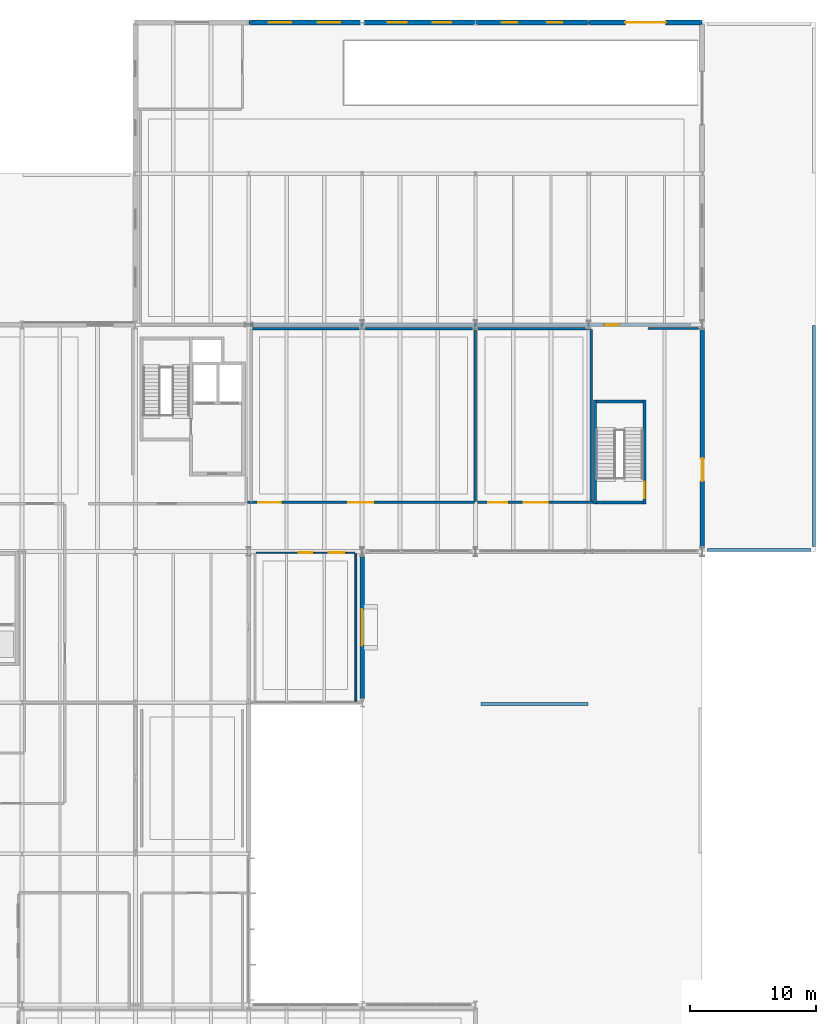
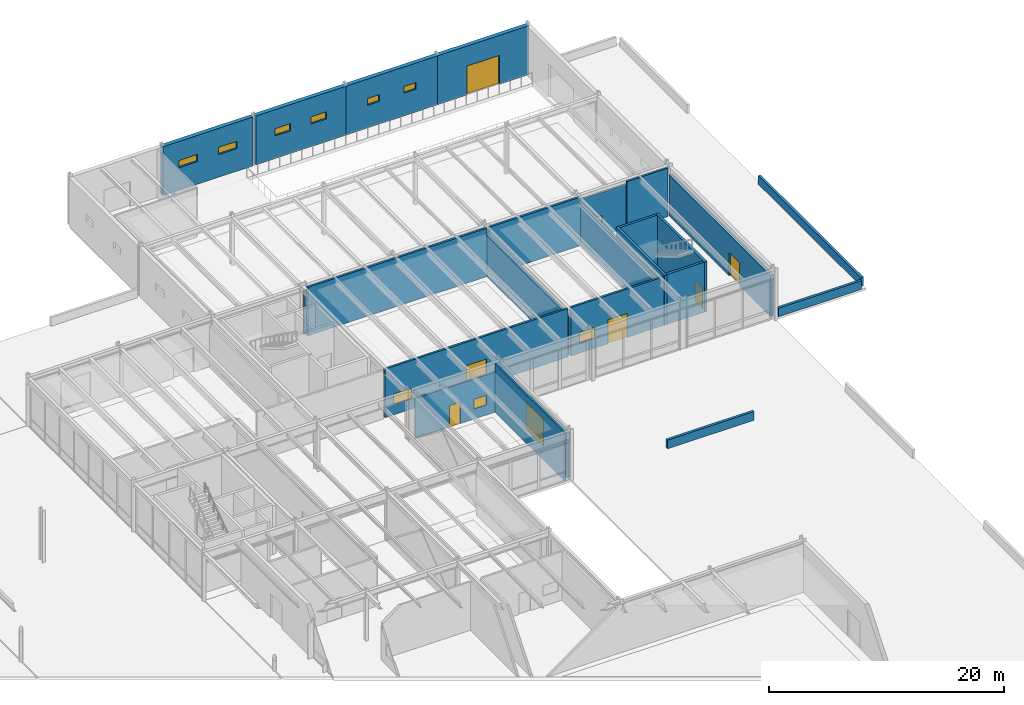
# One storey, part 129 of 143: 23 walls, 10 windows, 7 doors, 17 openings.
"""IFC4 building model written with IfcOpenShell, lengths in metres."""

from ifc_helpers import new_model, si_unit, direction, frame, frame_2d, origin, place, context, subcontext, project, spatial, rectangle, extrude, material, layer, layer_set, type_object, element, fill, save


model = new_model("IFC4")

# Units and contexts
model_context = context("Model", 3, precision=1e-05, world=origin(), true_north=direction((0.0, 1.0)))
body_context = subcontext(model_context, "Body", "Model", "MODEL_VIEW")
ifc_project = project(units=[si_unit("LENGTHUNIT", "METRE"), si_unit("AREAUNIT", "SQUARE_METRE"), si_unit("VOLUMEUNIT", "CUBIC_METRE"), si_unit("PLANEANGLEUNIT", "RADIAN"), si_unit("MASSUNIT", "GRAM", prefix="KILO")], contexts=[model_context])

# Site, building, storey
site_placement = place(None, origin())
site = spatial("IfcSite", under=ifc_project, at=site_placement, CompositionType="ELEMENT")
building_placement = place(site_placement, origin())
building = spatial("IfcBuilding", under=site, at=building_placement, Name="Montelvaro Courts of Justice", CompositionType="ELEMENT")
storey_placement = place(building_placement, origin())
storey = spatial("IfcBuildingStorey", under=building, at=storey_placement, Name="L00", CompositionType="ELEMENT", Elevation=0.0)

# Wall, openings, door, window
ifc_material_1 = material(Name="Gypsum board on metal stud")
ifc_layer_1 = layer(ifc_material_1, 0.14990234375)
ifc_layer_set_1 = layer_set([ifc_layer_1], Name="Gypsum board on metal stud")
wall_type_1 = type_object("IfcWallType", Name="ChambersPartition_150", PredefinedType="PARTITIONING", material=ifc_layer_set_1)
wall_1_placement = place(storey_placement, frame((126.580078125, 77.89990234375, 0.0), z_axis=(0.0, 0.0, 1.0), x_axis=(1.0, 0.0, 0.0)))
wall_1 = element("IfcWall", 1, at=wall_1_placement, inside=storey, type_object=wall_type_1, Name="Interior Partition IW-04 (L00)", PredefinedType="PARTITIONING", context=body_context, shape_type="SweptSolid", body=[
    extrude(rectangle(XDim=7.83984375, YDim=0.14990234375, at=frame_2d((3.919921875, 0.0))), origin(), (0.0, 0.0, 1.0), 4.18505859375),
])
opening_1_placement = place(wall_1_placement, frame((3.39501953125, 0.0, 0.0)))
opening_1 = element("IfcOpeningElement", 2, at=opening_1_placement, cuts=wall_1, Name="Opening D-L00-037", PredefinedType="OPENING", context=body_context, shape_type="SweptSolid", body=[
    extrude(rectangle(XDim=1.050048828125, YDim=2.25, at=frame_2d((0.52490234375, 1.125))), frame((0.0, 0.08984375, 0.0), z_axis=(0.0, -1.0, 0.0), x_axis=(1.0, 0.0, 0.0)), (0.0, 0.0, 1.0), 0.1796875),
])
opening_2_placement = place(wall_1_placement, frame((5.7900390625, 0.0, 1.050048828125)))
opening_2 = element("IfcOpeningElement", 3, at=opening_2_placement, cuts=wall_1, Name="Opening WI-03", PredefinedType="OPENING", context=body_context, shape_type="SweptSolid", body=[
    extrude(rectangle(XDim=1.199951171875, YDim=1.0, at=frame_2d((0.60009765625, 0.5))), frame((0.0, 0.08984375, 0.0), z_axis=(0.0, -1.0, 0.0), x_axis=(1.0, 0.0, 0.0)), (0.0, 0.0, 1.0), 0.1796875),
])
ifc_material_2 = material(Name="Acoustic oak timber veneer", Category="wood")
door_type_1 = type_object("IfcDoorType", Name="ChamberDoor_105x225", OperationType="NOTDEFINED", PredefinedType="DOOR", material=ifc_material_2)
door_1_placement = place(opening_1_placement, frame((1.050048828125, 0.0, 0.0), z_axis=(0.0, 0.0, 1.0), x_axis=(-1.0, 0.0, 0.0)))
door_1 = element("IfcDoor", 4, at=door_1_placement, inside=storey, type_object=door_type_1, Name="Interior Door D-L00-037 (Advocates' Consultation Lounge L00)", OperationType="SINGLE_SWING_RIGHT", OverallHeight=2.25, OverallWidth=1.050048828125, PredefinedType="DOOR", context=body_context, shape_type="SweptSolid", body=[
    extrude(rectangle(XDim=1.050048828125, YDim=2.25, at=frame_2d((0.52490234375, 1.125))), frame((0.0, 0.02490234375, 0.0), z_axis=(0.0, -1.0, 0.0), x_axis=(1.0, 0.0, 0.0)), (0.0, 0.0, 1.0), 0.050048828125),
])
fill(opening_1, door_1)
ifc_material_3 = material(Name="Acoustic laminated double glazing", Category="glass")
window_type_1 = type_object("IfcWindowType", Name="IntVision_120x100", PartitioningType="SINGLE_PANEL", PredefinedType="WINDOW", material=ifc_material_3)
window_1_placement = place(opening_2_placement, origin())
window_1 = element("IfcWindow", 5, at=window_1_placement, inside=storey, type_object=window_type_1, Name="Interior Vision Panel WI-019", OverallHeight=1.0, OverallWidth=1.199951171875, PartitioningType="SINGLE_PANEL", PredefinedType="WINDOW", context=body_context, shape_type="SweptSolid", body=[
    extrude(rectangle(XDim=1.199951171875, YDim=1.0, at=frame_2d((0.60009765625, 0.5))), frame((0.0, 0.030029296875, 0.0), z_axis=(0.0, -1.0, 0.0), x_axis=(1.0, 0.0, 0.0)), (0.0, 0.0, 1.0), 0.06005859375),
])
fill(opening_2, window_1)

# Walls
wall_2_placement = place(storey_placement, frame((134.5, 77.820068359375, 0.0), z_axis=(0.0, 0.0, 1.0), x_axis=(0.0, -1.0, 0.0)))
element("IfcWall", 6, at=wall_2_placement, inside=storey, type_object=wall_type_1, Name="Interior Partition IW-04 (L00)", PredefinedType="PARTITIONING", context=body_context, shape_type="SweptSolid", body=[
    extrude(rectangle(XDim=11.7451171875, YDim=0.14990234375, at=frame_2d((5.87255859375, 0.0))), origin(), (0.0, 0.0, 1.0), 5.0400390625),
])
ifc_material_4 = material(Name="Fire-rated gypsum and steel stud", Category="steel")
ifc_layer_2 = layer(ifc_material_4, 0.179931640625)
ifc_layer_set_2 = layer_set([ifc_layer_2], Name="Fire-rated gypsum and steel stud")
wall_type_2 = type_object("IfcWallType", Name="CorridorFireWall_180", PredefinedType="PARTITIONING", material=ifc_layer_set_2)
wall_3_placement = place(storey_placement, frame((157.679931640625, 95.699951171875, 0.0), z_axis=(0.0, 0.0, 1.0), x_axis=(1.0, 0.0, 0.0)))
element("IfcWall", 7, at=wall_3_placement, inside=storey, type_object=wall_type_2, Name="Interior Partition IW-02 (L00)", PredefinedType="PARTITIONING", context=body_context, shape_type="SweptSolid", body=[
    extrude(rectangle(XDim=4.0400390625, YDim=0.179931640625, at=frame_2d((2.02001953125, 0.0))), origin(), (0.0, 0.0, 1.0), 5.0400390625),
])

# Wall, opening, door
wall_4_placement = place(storey_placement, frame((161.1201171875, 96.0, 0.0), z_axis=(0.0, 0.0, 1.0), x_axis=(-1.0, 0.0, 0.0)))
wall_4 = element("IfcWall", 8, at=wall_4_placement, inside=storey, type_object=wall_type_2, Name="Interior Partition IW-02 (L00)", PredefinedType="PARTITIONING", context=body_context, shape_type="SweptSolid", body=[
    extrude(rectangle(XDim=35.0400390625, YDim=0.179931640625, at=frame_2d((17.52001953125, 0.0))), origin(), (0.0, 0.0, 1.0), 4.544921875),
])
opening_3_placement = place(wall_4_placement, frame((5.73193359375, 0.0, 0.0)))
opening_3 = element("IfcOpeningElement", 9, at=opening_3_placement, cuts=wall_4, Name="Opening D-L00-055", PredefinedType="OPENING", context=body_context, shape_type="SweptSolid", body=[
    extrude(rectangle(XDim=1.14990234375, YDim=2.14990234375, at=frame_2d((0.574951171875, 1.074951171875))), frame((0.0, 0.10498046875, 0.0), z_axis=(0.0, -1.0, 0.0), x_axis=(1.0, 0.0, 0.0)), (0.0, 0.0, 1.0), 0.209716796875),
])
ifc_material_5 = material(Name="Galvanised steel S355 security door", Category="steel")
door_type_2 = type_object("IfcDoorType", Name="CustodyDoor_115x215", OperationType="NOTDEFINED", PredefinedType="DOOR", material=ifc_material_5)
door_2_placement = place(opening_3_placement, frame((1.14990234375, 0.0, 0.0), z_axis=(0.0, 0.0, 1.0), x_axis=(-1.0, 0.0, 0.0)))
door_2 = element("IfcDoor", 10, at=door_2_placement, inside=storey, type_object=door_type_2, Name="Interior Door D-L00-055 (Custody Vehicle Sallyport Hall)", OperationType="SINGLE_SWING_LEFT", OverallHeight=2.14990234375, OverallWidth=1.14990234375, PredefinedType="DOOR", context=body_context, shape_type="SweptSolid", body=[
    extrude(rectangle(XDim=1.14990234375, YDim=2.14990234375, at=frame_2d((0.574951171875, 1.074951171875))), frame((0.0, 0.02490234375, 0.0), z_axis=(0.0, -1.0, 0.0), x_axis=(1.0, 0.0, 0.0)), (0.0, 0.0, 1.0), 0.050048828125),
])
fill(opening_3, door_2)

# Walls
ifc_material_6 = material(Name="Gypsum acoustic double stud with mineral wool")
ifc_layer_3 = layer(ifc_material_6, 0.199951171875)
ifc_layer_set_3 = layer_set([ifc_layer_3], Name="Gypsum acoustic double stud with mineral wool")
wall_type_3 = type_object("IfcWallType", Name="CourtAcousticWall_200", PredefinedType="PARTITIONING", material=ifc_layer_set_3)
wall_5_placement = place(storey_placement, frame((126.280029296875, 95.699951171875, 0.0), z_axis=(0.0, 0.0, 1.0), x_axis=(1.0, 0.0, 0.0)))
element("IfcWall", 11, at=wall_5_placement, inside=storey, type_object=wall_type_3, Name="Interior Partition IW-01 (L00)", PredefinedType="PARTITIONING", context=body_context, shape_type="SweptSolid", body=[
    extrude(rectangle(XDim=17.639892578125, YDim=0.199951171875, at=frame_2d((8.81982421875, 0.0))), origin(), (0.0, 0.0, 1.0), 5.0400390625),
])
wall_6_placement = place(storey_placement, frame((144.0, 95.6201171875, 0.0), z_axis=(0.0, 0.0, 1.0), x_axis=(0.0, -1.0, 0.0)))
element("IfcWall", 12, at=wall_6_placement, inside=storey, type_object=wall_type_3, Name="Interior Partition IW-01 (L00)", PredefinedType="PARTITIONING", context=body_context, shape_type="SweptSolid", body=[
    extrude(rectangle(XDim=13.64013671875, YDim=0.199951171875, at=frame_2d((6.820068359375, 0.0))), origin(), (0.0, 0.0, 1.0), 4.405029296875),
])

# Wall, openings, door, window
wall_7_placement = place(storey_placement, frame((143.919921875, 81.89990234375, 0.0), z_axis=(0.0, 0.0, 1.0), x_axis=(-1.0, 0.0, 0.0)))
wall_7 = element("IfcWall", 13, at=wall_7_placement, inside=storey, type_object=wall_type_3, Name="Interior Partition IW-01 (L00)", PredefinedType="PARTITIONING", context=body_context, shape_type="SweptSolid", body=[
    extrude(rectangle(XDim=18.034912109375, YDim=0.199951171875, at=frame_2d((9.017578125, 0.0))), origin(), (0.0, 0.0, 1.0), 5.0400390625),
])
opening_4_placement = place(wall_7_placement, frame((8.01708984375, 0.0, 0.0)))
opening_4 = element("IfcOpeningElement", 14, at=opening_4_placement, cuts=wall_7, Name="Opening D-L00-035", PredefinedType="OPENING", context=body_context, shape_type="SweptSolid", body=[
    extrude(rectangle(XDim=2.0, YDim=2.60009765625, at=frame_2d((1.0, 1.300048828125))), frame((0.0, 0.11474609375, 0.0), z_axis=(0.0, -1.0, 0.0), x_axis=(1.0, 0.0, 0.0)), (0.0, 0.0, 1.0), 0.229736328125),
])
opening_5_placement = place(wall_7_placement, frame((15.385009765625, 0.0, 1.050048828125)))
opening_5 = element("IfcOpeningElement", 15, at=opening_5_placement, cuts=wall_7, Name="Opening WI-01", PredefinedType="OPENING", context=body_context, shape_type="SweptSolid", body=[
    extrude(rectangle(XDim=1.800048828125, YDim=1.10009765625, at=frame_2d((0.89990234375, 0.550048828125))), frame((0.0, 0.11474609375, 0.0), z_axis=(0.0, -1.0, 0.0), x_axis=(1.0, 0.0, 0.0)), (0.0, 0.0, 1.0), 0.229736328125),
])
door_type_3 = type_object("IfcDoorType", Name="CourtDoor_200x260", OperationType="DOUBLE_DOOR_SINGLE_SWING", PredefinedType="DOOR", material=ifc_material_2)
door_3_placement = place(opening_4_placement, frame((2.0, 0.0, 0.0), z_axis=(0.0, 0.0, 1.0), x_axis=(-1.0, 0.0, 0.0)))
door_3 = element("IfcDoor", 16, at=door_3_placement, inside=storey, type_object=door_type_3, Name="Interior Door D-L00-035 (Criminal Courtroom 02)", OperationType="DOUBLE_DOOR_SINGLE_SWING", OverallHeight=2.60009765625, OverallWidth=2.0, PredefinedType="DOOR", context=body_context, shape_type="SweptSolid", body=[
    extrude(rectangle(XDim=2.0, YDim=2.60009765625, at=frame_2d((1.0, 1.300048828125))), frame((0.0, 0.02490234375, 0.0), z_axis=(0.0, -1.0, 0.0), x_axis=(1.0, 0.0, 0.0)), (0.0, 0.0, 1.0), 0.050048828125),
])
fill(opening_4, door_3)
window_type_2 = type_object("IfcWindowType", Name="IntVision_180x110", PartitioningType="SINGLE_PANEL", PredefinedType="WINDOW", material=ifc_material_3)
window_2_placement = place(opening_5_placement, origin())
window_2 = element("IfcWindow", 17, at=window_2_placement, inside=storey, type_object=window_type_2, Name="Interior Vision Panel WI-017", OverallHeight=1.10009765625, OverallWidth=1.800048828125, PartitioningType="SINGLE_PANEL", PredefinedType="WINDOW", context=body_context, shape_type="SweptSolid", body=[
    extrude(rectangle(XDim=1.800048828125, YDim=1.10009765625, at=frame_2d((0.89990234375, 0.550048828125))), frame((0.0, 0.030029296875, 0.0), z_axis=(0.0, -1.0, 0.0), x_axis=(1.0, 0.0, 0.0)), (0.0, 0.0, 1.0), 0.06005859375),
])
fill(opening_5, window_2)

# Wall
wall_8_placement = place(storey_placement, frame((153.199951171875, 95.6201171875, 0.0), z_axis=(0.0, 0.0, 1.0), x_axis=(0.0, -1.0, 0.0)))
element("IfcWall", 18, at=wall_8_placement, inside=storey, type_object=wall_type_3, Name="Interior Partition IW-01 (L00)", PredefinedType="PARTITIONING", context=body_context, shape_type="SweptSolid", body=[
    extrude(rectangle(XDim=13.64013671875, YDim=0.199951171875, at=frame_2d((6.820068359375, 0.0))), origin(), (0.0, 0.0, 1.0), 4.304931640625),
])

# Wall, openings, door, window
wall_9_placement = place(storey_placement, frame((153.364990234375, 81.89990234375, 0.0), z_axis=(0.0, 0.0, 1.0), x_axis=(-1.0, 0.0, 0.0)))
wall_9 = element("IfcWall", 19, at=wall_9_placement, inside=storey, type_object=wall_type_3, Name="Interior Partition IW-01 (L00)", PredefinedType="PARTITIONING", context=body_context, shape_type="SweptSolid", body=[
    extrude(rectangle(XDim=9.18505859375, YDim=0.199951171875, at=frame_2d((4.592529296875, 0.0))), origin(), (0.0, 0.0, 1.0), 5.0400390625),
])
opening_6_placement = place(wall_9_placement, frame((3.64306640625, 0.0, 0.0)))
opening_6 = element("IfcOpeningElement", 20, at=opening_6_placement, cuts=wall_9, Name="Opening D-L00-036", PredefinedType="OPENING", context=body_context, shape_type="SweptSolid", body=[
    extrude(rectangle(XDim=1.89990234375, YDim=2.5, at=frame_2d((0.949951171875, 1.25))), frame((0.0, 0.11474609375, 0.0), z_axis=(0.0, -1.0, 0.0), x_axis=(1.0, 0.0, 0.0)), (0.0, 0.0, 1.0), 0.229736328125),
])
opening_7_placement = place(wall_9_placement, frame((6.8349609375, 0.0, 1.050048828125)))
opening_7 = element("IfcOpeningElement", 21, at=opening_7_placement, cuts=wall_9, Name="Opening WI-02", PredefinedType="OPENING", context=body_context, shape_type="SweptSolid", body=[
    extrude(rectangle(XDim=1.5, YDim=1.10009765625, at=frame_2d((0.75, 0.550048828125))), frame((0.0, 0.11474609375, 0.0), z_axis=(0.0, -1.0, 0.0), x_axis=(1.0, 0.0, 0.0)), (0.0, 0.0, 1.0), 0.229736328125),
])
door_type_4 = type_object("IfcDoorType", Name="CourtDoor_190x250", OperationType="DOUBLE_DOOR_SINGLE_SWING", PredefinedType="DOOR", material=ifc_material_2)
door_4_placement = place(opening_6_placement, origin())
door_4 = element("IfcDoor", 22, at=door_4_placement, inside=storey, type_object=door_type_4, Name="Interior Door D-L00-036 (Duty Guard Courtroom 03)", OperationType="DOUBLE_DOOR_SINGLE_SWING", OverallHeight=2.5, OverallWidth=1.89990234375, PredefinedType="DOOR", context=body_context, shape_type="SweptSolid", body=[
    extrude(rectangle(XDim=1.89990234375, YDim=2.5, at=frame_2d((0.949951171875, 1.25))), frame((0.0, 0.02490234375, 0.0), z_axis=(0.0, -1.0, 0.0), x_axis=(1.0, 0.0, 0.0)), (0.0, 0.0, 1.0), 0.050048828125),
])
fill(opening_6, door_4)
window_type_3 = type_object("IfcWindowType", Name="IntVision_150x110", PartitioningType="SINGLE_PANEL", PredefinedType="WINDOW", material=ifc_material_3)
window_3_placement = place(opening_7_placement, origin())
window_3 = element("IfcWindow", 23, at=window_3_placement, inside=storey, type_object=window_type_3, Name="Interior Vision Panel WI-018", OverallHeight=1.10009765625, OverallWidth=1.5, PartitioningType="SINGLE_PANEL", PredefinedType="WINDOW", context=body_context, shape_type="SweptSolid", body=[
    extrude(rectangle(XDim=1.5, YDim=1.10009765625, at=frame_2d((0.75, 0.550048828125))), frame((0.0, 0.030029296875, 0.0), z_axis=(0.0, -1.0, 0.0), x_axis=(1.0, 0.0, 0.0)), (0.0, 0.0, 1.0), 0.06005859375),
])
fill(opening_7, window_3)

# Wall
wall_10_placement = place(storey_placement, frame((144.179931640625, 95.699951171875, 0.0), z_axis=(0.0, 0.0, 1.0), x_axis=(1.0, 0.0, 0.0)))
element("IfcWall", 24, at=wall_10_placement, inside=storey, type_object=wall_type_3, Name="Interior Partition IW-01 (L00)", PredefinedType="PARTITIONING", context=body_context, shape_type="SweptSolid", body=[
    extrude(rectangle(XDim=8.940185546875, YDim=0.199951171875, at=frame_2d((4.47021484375, 0.0))), origin(), (0.0, 0.0, 1.0), 5.0400390625),
])

# Wall, opening, door
ifc_material_7 = material(Name="Concrete C40/50", Category="concrete")
ifc_layer_4 = layer(ifc_material_7, 0.39990234375)
ifc_layer_set_4 = layer_set([ifc_layer_4], Name="Concrete C40/50")
wall_type_4 = type_object("IfcWallType", Name="ExtWall_Custody_400", PredefinedType="SOLIDWALL", material=ifc_layer_set_4)
wall_11_placement = place(storey_placement, frame((161.991943359375, 120.0, 0.0), z_axis=(0.0, 0.0, 1.0), x_axis=(-1.0, 0.0, 0.0)))
wall_11 = element("IfcWall", 25, at=wall_11_placement, inside=storey, type_object=wall_type_4, Name="Exterior Facade Wall EW-04 (L00)", PredefinedType="SOLIDWALL", context=body_context, shape_type="SweptSolid", body=[
    extrude(rectangle(XDim=8.98388671875, YDim=0.39990234375, at=frame_2d((4.491943359375, 0.0))), origin(), (0.0, 0.0, 1.0), 5.080078125),
])
opening_8_placement = place(wall_11_placement, frame((2.89208984375, 0.0, 0.0)))
opening_8 = element("IfcOpeningElement", 26, at=opening_8_placement, cuts=wall_11, Name="Opening SG-01A", PredefinedType="OPENING", context=body_context, shape_type="SweptSolid", body=[
    extrude(rectangle(XDim=3.199951171875, YDim=3.0, at=frame_2d((1.60009765625, 1.5))), frame((0.0, 0.21484375, 0.0), z_axis=(0.0, -1.0, 0.0), x_axis=(1.0, 0.0, 0.0)), (0.0, 0.0, 1.0), 0.4296875),
])
ifc_material_8 = material(Name="Anodised aluminium and laminated safety glass", Category="aluminium")
door_type_5 = type_object("IfcDoorType", Name="SecGate_320x300", OperationType="ROLLINGUP", PredefinedType="GATE", material=ifc_material_8)
door_5_placement = place(opening_8_placement, frame((3.199951171875, 0.0, 0.0), z_axis=(0.0, 0.0, 1.0), x_axis=(-1.0, 0.0, 0.0)))
door_5 = element("IfcDoor", 27, at=door_5_placement, inside=storey, type_object=door_type_5, Name="Perimeter Security Gate SG-01A", OperationType="ROLLINGUP", OverallHeight=3.0, OverallWidth=3.199951171875, PredefinedType="GATE", context=body_context, shape_type="SweptSolid", body=[
    extrude(rectangle(XDim=3.199951171875, YDim=3.0, at=frame_2d((1.60009765625, 1.5))), frame((0.0, 0.02490234375, 0.0), z_axis=(0.0, -1.0, 0.0), x_axis=(1.0, 0.0, 0.0)), (0.0, 0.0, 1.0), 0.050048828125),
])
fill(opening_8, door_5)

# Wall, openings, windows
wall_12_placement = place(storey_placement, frame((152.991943359375, 120.0, 0.0), z_axis=(0.0, 0.0, 1.0), x_axis=(-1.0, 0.0, 0.0)))
wall_12 = element("IfcWall", 28, at=wall_12_placement, inside=storey, type_object=wall_type_4, Name="Exterior Facade Wall EW-04 (L00)", PredefinedType="SOLIDWALL", context=body_context, shape_type="SweptSolid", body=[
    extrude(rectangle(XDim=8.98388671875, YDim=0.39990234375, at=frame_2d((4.491943359375, 0.0))), origin(), (0.0, 0.0, 1.0), 5.080078125),
])
opening_9_placement = place(wall_12_placement, frame((2.094970703125, 0.0, 2.35009765625)))
opening_9 = element("IfcOpeningElement", 29, at=opening_9_placement, cuts=wall_12, Name="Opening WE-30", PredefinedType="OPENING", context=body_context, shape_type="SweptSolid", body=[
    extrude(rectangle(XDim=1.199951171875, YDim=0.699951171875, at=frame_2d((0.60009765625, 0.35009765625))), frame((0.0, 0.21484375, 0.0), z_axis=(0.0, -1.0, 0.0), x_axis=(1.0, 0.0, 0.0)), (0.0, 0.0, 1.0), 0.4296875),
])
opening_10_placement = place(wall_12_placement, frame((5.68896484375, 0.0, 2.35009765625)))
opening_10 = element("IfcOpeningElement", 30, at=opening_10_placement, cuts=wall_12, Name="Opening WE-30", PredefinedType="OPENING", context=body_context, shape_type="SweptSolid", body=[
    extrude(rectangle(XDim=1.199951171875, YDim=0.699951171875, at=frame_2d((0.60009765625, 0.35009765625))), frame((0.0, 0.21484375, 0.0), z_axis=(0.0, -1.0, 0.0), x_axis=(1.0, 0.0, 0.0)), (0.0, 0.0, 1.0), 0.4296875),
])
ifc_material_9 = material(Name="Low-E solar control double glazing", Category="glass")
window_type_4 = type_object("IfcWindowType", Name="Win_Slot_120x070", PartitioningType="SINGLE_PANEL", PredefinedType="WINDOW", material=ifc_material_9)
window_4_placement = place(opening_9_placement, origin())
window_4 = element("IfcWindow", 31, at=window_4_placement, inside=storey, type_object=window_type_4, Name="Window W-L00-030", OverallHeight=0.699951171875, OverallWidth=1.199951171875, PartitioningType="SINGLE_PANEL", PredefinedType="WINDOW", context=body_context, shape_type="SweptSolid", body=[
    extrude(rectangle(XDim=1.199951171875, YDim=0.699951171875, at=frame_2d((0.60009765625, 0.35009765625))), frame((0.0, 0.030029296875, 0.0), z_axis=(0.0, -1.0, 0.0), x_axis=(1.0, 0.0, 0.0)), (0.0, 0.0, 1.0), 0.06005859375),
])
fill(opening_9, window_4)
window_5_placement = place(opening_10_placement, origin())
window_5 = element("IfcWindow", 32, at=window_5_placement, inside=storey, type_object=window_type_4, Name="Window W-L00-031", OverallHeight=0.699951171875, OverallWidth=1.199951171875, PartitioningType="SINGLE_PANEL", PredefinedType="WINDOW", context=body_context, shape_type="SweptSolid", body=[
    extrude(rectangle(XDim=1.199951171875, YDim=0.699951171875, at=frame_2d((0.60009765625, 0.35009765625))), frame((0.0, 0.030029296875, 0.0), z_axis=(0.0, -1.0, 0.0), x_axis=(1.0, 0.0, 0.0)), (0.0, 0.0, 1.0), 0.06005859375),
])
fill(opening_10, window_5)

wall_13_placement = place(storey_placement, frame((143.991943359375, 120.0, 0.0), z_axis=(0.0, 0.0, 1.0), x_axis=(-1.0, 0.0, 0.0)))
wall_13 = element("IfcWall", 33, at=wall_13_placement, inside=storey, type_object=wall_type_4, Name="Exterior Facade Wall EW-04 (L00)", PredefinedType="SOLIDWALL", context=body_context, shape_type="SweptSolid", body=[
    extrude(rectangle(XDim=8.843994140625, YDim=0.39990234375, at=frame_2d((4.421875, 0.0))), origin(), (0.0, 0.0, 1.0), 5.080078125),
])
opening_11_placement = place(wall_13_placement, frame((1.903076171875, 0.0, 2.35009765625)))
opening_11 = element("IfcOpeningElement", 34, at=opening_11_placement, cuts=wall_13, Name="Opening WE-29", PredefinedType="OPENING", context=body_context, shape_type="SweptSolid", body=[
    extrude(rectangle(XDim=1.5, YDim=0.75, at=frame_2d((0.75, 0.375))), frame((0.0, 0.21484375, 0.0), z_axis=(0.0, -1.0, 0.0), x_axis=(1.0, 0.0, 0.0)), (0.0, 0.0, 1.0), 0.4296875),
])
opening_12_placement = place(wall_13_placement, frame((5.44091796875, 0.0, 2.35009765625)))
opening_12 = element("IfcOpeningElement", 35, at=opening_12_placement, cuts=wall_13, Name="Opening WE-29", PredefinedType="OPENING", context=body_context, shape_type="SweptSolid", body=[
    extrude(rectangle(XDim=1.5, YDim=0.75, at=frame_2d((0.75, 0.375))), frame((0.0, 0.21484375, 0.0), z_axis=(0.0, -1.0, 0.0), x_axis=(1.0, 0.0, 0.0)), (0.0, 0.0, 1.0), 0.4296875),
])
window_type_5 = type_object("IfcWindowType", Name="Win_Slot_150x075", PartitioningType="SINGLE_PANEL", PredefinedType="WINDOW", material=ifc_material_9)
window_6_placement = place(opening_11_placement, origin())
window_6 = element("IfcWindow", 36, at=window_6_placement, inside=storey, type_object=window_type_5, Name="Window W-L00-032", OverallHeight=0.75, OverallWidth=1.5, PartitioningType="SINGLE_PANEL", PredefinedType="WINDOW", context=body_context, shape_type="SweptSolid", body=[
    extrude(rectangle(XDim=1.5, YDim=0.75, at=frame_2d((0.75, 0.375))), frame((0.0, 0.030029296875, 0.0), z_axis=(0.0, -1.0, 0.0), x_axis=(1.0, 0.0, 0.0)), (0.0, 0.0, 1.0), 0.06005859375),
])
fill(opening_11, window_6)
window_7_placement = place(opening_12_placement, origin())
window_7 = element("IfcWindow", 37, at=window_7_placement, inside=storey, type_object=window_type_5, Name="Window W-L00-033", OverallHeight=0.75, OverallWidth=1.5, PartitioningType="SINGLE_PANEL", PredefinedType="WINDOW", context=body_context, shape_type="SweptSolid", body=[
    extrude(rectangle(XDim=1.5, YDim=0.75, at=frame_2d((0.75, 0.375))), frame((0.0, 0.030029296875, 0.0), z_axis=(0.0, -1.0, 0.0), x_axis=(1.0, 0.0, 0.0)), (0.0, 0.0, 1.0), 0.06005859375),
])
fill(opening_12, window_7)

wall_14_placement = place(storey_placement, frame((134.85205078125, 120.0, 0.0), z_axis=(0.0, 0.0, 1.0), x_axis=(-1.0, 0.0, 0.0)))
wall_14 = element("IfcWall", 38, at=wall_14_placement, inside=storey, type_object=wall_type_4, Name="Exterior Facade Wall EW-04 (L00)", PredefinedType="SOLIDWALL", context=body_context, shape_type="SweptSolid", body=[
    extrude(rectangle(XDim=8.843994140625, YDim=0.39990234375, at=frame_2d((4.421875, 0.0))), origin(), (0.0, 0.0, 1.0), 5.080078125),
])
opening_13_placement = place(wall_14_placement, frame((1.575927734375, 0.0, 2.35009765625)))
opening_13 = element("IfcOpeningElement", 39, at=opening_13_placement, cuts=wall_14, Name="Opening WE-28", PredefinedType="OPENING", context=body_context, shape_type="SweptSolid", body=[
    extrude(rectangle(XDim=1.800048828125, YDim=0.75, at=frame_2d((0.89990234375, 0.375))), frame((0.0, 0.21484375, 0.0), z_axis=(0.0, -1.0, 0.0), x_axis=(1.0, 0.0, 0.0)), (0.0, 0.0, 1.0), 0.4296875),
])
opening_14_placement = place(wall_14_placement, frame((5.468017578125, 0.0, 2.35009765625)))
opening_14 = element("IfcOpeningElement", 40, at=opening_14_placement, cuts=wall_14, Name="Opening WE-28", PredefinedType="OPENING", context=body_context, shape_type="SweptSolid", body=[
    extrude(rectangle(XDim=1.800048828125, YDim=0.75, at=frame_2d((0.89990234375, 0.375))), frame((0.0, 0.21484375, 0.0), z_axis=(0.0, -1.0, 0.0), x_axis=(1.0, 0.0, 0.0)), (0.0, 0.0, 1.0), 0.4296875),
])
window_type_6 = type_object("IfcWindowType", Name="Win_Slot_180x075", PartitioningType="SINGLE_PANEL", PredefinedType="WINDOW", material=ifc_material_9)
window_8_placement = place(opening_13_placement, origin())
window_8 = element("IfcWindow", 41, at=window_8_placement, inside=storey, type_object=window_type_6, Name="Window W-L00-034", OverallHeight=0.75, OverallWidth=1.800048828125, PartitioningType="SINGLE_PANEL", PredefinedType="WINDOW", context=body_context, shape_type="SweptSolid", body=[
    extrude(rectangle(XDim=1.800048828125, YDim=0.75, at=frame_2d((0.89990234375, 0.375))), frame((0.0, 0.030029296875, 0.0), z_axis=(0.0, -1.0, 0.0), x_axis=(1.0, 0.0, 0.0)), (0.0, 0.0, 1.0), 0.06005859375),
])
fill(opening_13, window_8)
window_9_placement = place(opening_14_placement, origin())
window_9 = element("IfcWindow", 42, at=window_9_placement, inside=storey, type_object=window_type_6, Name="Window W-L00-035", OverallHeight=0.75, OverallWidth=1.800048828125, PartitioningType="SINGLE_PANEL", PredefinedType="WINDOW", context=body_context, shape_type="SweptSolid", body=[
    extrude(rectangle(XDim=1.800048828125, YDim=0.75, at=frame_2d((0.89990234375, 0.375))), frame((0.0, 0.030029296875, 0.0), z_axis=(0.0, -1.0, 0.0), x_axis=(1.0, 0.0, 0.0)), (0.0, 0.0, 1.0), 0.06005859375),
])
fill(opening_14, window_9)

# Wall, opening, window
ifc_material_10 = material(Name="Precast concrete C45/55", Category="concrete")
ifc_layer_5 = layer(ifc_material_10, 0.35009765625)
ifc_layer_set_5 = layer_set([ifc_layer_5], Name="Precast concrete C45/55")
wall_type_5 = type_object("IfcWallType", Name="ExtWall_Limestone_350", PredefinedType="SOLIDWALL", material=ifc_layer_set_5)
wall_15_placement = place(storey_placement, frame((135.0, 66.30810546875, 0.0), z_axis=(0.0, 0.0, 1.0), x_axis=(0.0, 1.0, 0.0)))
wall_15 = element("IfcWall", 43, at=wall_15_placement, inside=storey, type_object=wall_type_5, Name="Exterior Facade Wall EW-03 (L00)", PredefinedType="SOLIDWALL", context=body_context, shape_type="SweptSolid", body=[
    extrude(rectangle(XDim=11.3359375, YDim=0.35009765625, at=frame_2d((5.66796875, 0.0))), origin(), (0.0, 0.0, 1.0), 4.544921875),
])
opening_15_placement = place(wall_15_placement, frame((4.218017578125, 0.0, 0.64990234375)))
opening_15 = element("IfcOpeningElement", 44, at=opening_15_placement, cuts=wall_15, Name="Opening WE-02", PredefinedType="OPENING", context=body_context, shape_type="SweptSolid", body=[
    extrude(rectangle(XDim=2.89990234375, YDim=2.89990234375, at=frame_2d((1.449951171875, 1.449951171875))), frame((0.0, 0.18994140625, 0.0), z_axis=(0.0, -1.0, 0.0), x_axis=(1.0, 0.0, 0.0)), (0.0, 0.0, 1.0), 0.3798828125),
])
window_type_7 = type_object("IfcWindowType", Name="Win_Sq_290x290", PartitioningType="SINGLE_PANEL", PredefinedType="WINDOW", material=ifc_material_9)
window_10_placement = place(opening_15_placement, origin())
window_10 = element("IfcWindow", 45, at=window_10_placement, inside=storey, type_object=window_type_7, Name="Window W-L00-001", OverallHeight=2.89990234375, OverallWidth=2.89990234375, PartitioningType="SINGLE_PANEL", PredefinedType="WINDOW", context=body_context, shape_type="SweptSolid", body=[
    extrude(rectangle(XDim=2.89990234375, YDim=2.89990234375, at=frame_2d((1.449951171875, 1.449951171875))), frame((0.0, 0.030029296875, 0.0), z_axis=(0.0, -1.0, 0.0), x_axis=(1.0, 0.0, 0.0)), (0.0, 0.0, 1.0), 0.06005859375),
])
fill(opening_15, window_10)

# Wall, opening, door
wall_16_placement = place(storey_placement, frame((162.0, 78.35595703125, 0.0), z_axis=(0.0, 0.0, 1.0), x_axis=(0.0, 1.0, 0.0)))
wall_16 = element("IfcWall", 46, at=wall_16_placement, inside=storey, type_object=wall_type_5, Name="Exterior Facade Wall EW-03 (L00)", PredefinedType="SOLIDWALL", context=body_context, shape_type="SweptSolid", body=[
    extrude(rectangle(XDim=17.2880859375, YDim=0.35009765625, at=frame_2d((8.64404296875, 0.0))), origin(), (0.0, 0.0, 1.0), 4.294921875),
])
opening_16_placement = place(wall_16_placement, frame((5.243896484375, 0.0, 0.0)))
opening_16 = element("IfcOpeningElement", 47, at=opening_16_placement, cuts=wall_16, Name="Opening ED-08", PredefinedType="OPENING", context=body_context, shape_type="SweptSolid", body=[
    extrude(rectangle(XDim=1.800048828125, YDim=2.39990234375, at=frame_2d((0.89990234375, 1.199951171875))), frame((0.0, 0.18994140625, 0.0), z_axis=(0.0, -1.0, 0.0), x_axis=(1.0, 0.0, 0.0)), (0.0, 0.0, 1.0), 0.3798828125),
])
ifc_material_11 = material(Name="Galvanised steel S355 fire door", Category="steel")
door_type_6 = type_object("IfcDoorType", Name="ExtDoor_Exit_180x240", OperationType="DOUBLE_DOOR_SINGLE_SWING", PredefinedType="DOOR", material=ifc_material_11)
door_6_placement = place(opening_16_placement, frame((1.800048828125, 0.0, 0.0), z_axis=(0.0, 0.0, 1.0), x_axis=(-1.0, 0.0, 0.0)))
door_6 = element("IfcDoor", 48, at=door_6_placement, inside=storey, type_object=door_type_6, Name="Final Pedestrian Exit ED-08 Stair ST-V2", OperationType="DOUBLE_DOOR_SINGLE_SWING", OverallHeight=2.39990234375, OverallWidth=1.800048828125, PredefinedType="DOOR", context=body_context, shape_type="SweptSolid", body=[
    extrude(rectangle(XDim=1.800048828125, YDim=2.39990234375, at=frame_2d((0.89990234375, 1.199951171875))), frame((0.0, 0.02490234375, 0.0), z_axis=(0.0, -1.0, 0.0), x_axis=(1.0, 0.0, 0.0)), (0.0, 0.0, 1.0), 0.050048828125),
])
fill(opening_16, door_6)

# Walls
ifc_material_12 = material(Name="White mineral precast concrete C45/55", Category="concrete")
ifc_layer_6 = layer(ifc_material_12, 0.239990234375)
ifc_layer_set_6 = layer_set([ifc_layer_6], Name="White mineral precast concrete C45/55")
wall_type_6 = type_object("IfcWallType", Name="ParapetWall_240", PredefinedType="PARAPET", material=ifc_layer_set_6)
wall_17_placement = place(storey_placement, frame((144.419921875, 65.8798828125, 0.0), z_axis=(0.0, 0.0, 1.0), x_axis=(1.0, 0.0, 0.0)))
element("IfcWall", 49, at=wall_17_placement, inside=storey, type_object=wall_type_6, Name="Roof Parapet PW-01 L00-056", PredefinedType="PARAPET", context=body_context, shape_type="SweptSolid", body=[
    extrude(rectangle(XDim=8.52001953125, YDim=0.239990234375, at=frame_2d((4.260009765625, 0.0))), origin(), (0.0, 0.0, 1.0), 0.89990234375),
])
wall_18_placement = place(storey_placement, frame((162.419921875, 78.1201171875, 0.0), z_axis=(0.0, 0.0, 1.0), x_axis=(1.0, 0.0, 0.0)))
element("IfcWall", 50, at=wall_18_placement, inside=storey, type_object=wall_type_6, Name="Roof Parapet PW-01 L00-060", PredefinedType="PARAPET", context=body_context, shape_type="SweptSolid", body=[
    extrude(rectangle(XDim=8.16015625, YDim=0.239990234375, at=frame_2d((4.080078125, 0.0))), origin(), (0.0, 0.0, 1.0), 0.89990234375),
])
wall_19_placement = place(storey_placement, frame((170.8798828125, 78.419921875, 0.0), z_axis=(0.0, 0.0, 1.0), x_axis=(0.0, 1.0, 0.0)))
element("IfcWall", 51, at=wall_19_placement, inside=storey, type_object=wall_type_6, Name="Roof Parapet PW-01 L00-061", PredefinedType="PARAPET", context=body_context, shape_type="SweptSolid", body=[
    extrude(rectangle(XDim=17.52001953125, YDim=0.239990234375, at=frame_2d((8.760009765625, 0.0))), origin(), (0.0, 0.0, 1.0), 0.89990234375),
])
ifc_material_13 = material(Name="Concrete C35/45", Category="concrete")
ifc_layer_7 = layer(ifc_material_13, 0.239990234375)
ifc_layer_set_7 = layer_set([ifc_layer_7], Name="Concrete C35/45")
wall_type_7 = type_object("IfcWallType", Name="ShaftWall_240", PredefinedType="SHEAR", material=ifc_layer_set_7)
wall_20_placement = place(storey_placement, frame((153.47998046875, 81.760009765625, 0.0), z_axis=(0.0, 0.0, 1.0), x_axis=(0.0, 1.0, 0.0)))
element("IfcWall", 52, at=wall_20_placement, inside=storey, type_object=wall_type_7, Name="Protected Stair Structural Wall ST-V2-W (L00)", PredefinedType="SHEAR", context=body_context, shape_type="SweptSolid", body=[
    extrude(rectangle(XDim=8.280029296875, YDim=0.239990234375, at=frame_2d((4.14013671875, 0.0))), origin(), (0.0, 0.0, 1.0), 5.2099609375),
])

# Wall, opening, door
wall_21_placement = place(storey_placement, frame((157.419921875, 81.760009765625, 0.0), z_axis=(0.0, 0.0, 1.0), x_axis=(0.0, 1.0, 0.0)))
wall_21 = element("IfcWall", 53, at=wall_21_placement, inside=storey, type_object=wall_type_7, Name="Protected Stair Structural Wall ST-V2-E (L00)", PredefinedType="SHEAR", context=body_context, shape_type="SweptSolid", body=[
    extrude(rectangle(XDim=8.280029296875, YDim=0.239990234375, at=frame_2d((4.14013671875, 0.0))), origin(), (0.0, 0.0, 1.0), 5.2099609375),
])
opening_17_placement = place(wall_21_placement, frame((0.489990234375, 0.0, 0.0)))
opening_17 = element("IfcOpeningElement", 54, at=opening_17_placement, cuts=wall_21, Name="Opening DS-L00-SV2", PredefinedType="OPENING", context=body_context, shape_type="SweptSolid", body=[
    extrude(rectangle(XDim=1.300048828125, YDim=2.199951171875, at=frame_2d((0.64990234375, 1.10009765625))), frame((0.0, 0.134765625, 0.0), z_axis=(0.0, -1.0, 0.0), x_axis=(1.0, 0.0, 0.0)), (0.0, 0.0, 1.0), 0.269775390625),
])
door_type_7 = type_object("IfcDoorType", Name="StairFireDoor_130x220", OperationType="NOTDEFINED", PredefinedType="DOOR", material=ifc_material_5)
door_7_placement = place(opening_17_placement, frame((1.300048828125, 0.0, 0.0), z_axis=(0.0, 0.0, 1.0), x_axis=(-1.0, 0.0, 0.0)))
door_7 = element("IfcDoor", 55, at=door_7_placement, inside=storey, type_object=door_type_7, Name="Protected Stair Fire Door DS-L00-SV2", OperationType="SINGLE_SWING_LEFT", OverallHeight=2.199951171875, OverallWidth=1.300048828125, PredefinedType="DOOR", context=body_context, shape_type="SweptSolid", body=[
    extrude(rectangle(XDim=1.300048828125, YDim=2.199951171875, at=frame_2d((0.64990234375, 1.10009765625))), frame((0.0, 0.02490234375, 0.0), z_axis=(0.0, -1.0, 0.0), x_axis=(1.0, 0.0, 0.0)), (0.0, 0.0, 1.0), 0.050048828125),
])
fill(opening_17, door_7)

# Walls
for number, where, z_axis, x_axis, name in (
    (56, (153.60009765625, 81.8798828125, 0.0), (0.0, 0.0, 1.0), (1.0, 0.0, 0.0), "Protected Stair Structural Wall ST-V2-S (L00)"),
    (57, (153.60009765625, 89.919921875, 0.0), (0.0, 0.0, 1.0), (1.0, 0.0, 0.0), "Protected Stair Structural Wall ST-V2-N (L00)"),
):
    element("IfcWall", number, at=place(storey_placement, frame(where, z_axis=z_axis, x_axis=x_axis)), inside=storey, type_object=wall_type_7, Name=name, PredefinedType="SHEAR", context=body_context, shape_type="SweptSolid", body=[
        extrude(rectangle(XDim=3.699951171875, YDim=0.239990234375, at=frame_2d((1.85009765625, 0.0))), origin(), (0.0, 0.0, 1.0), 5.2099609375),
    ])

save(model, "model.ifc")
